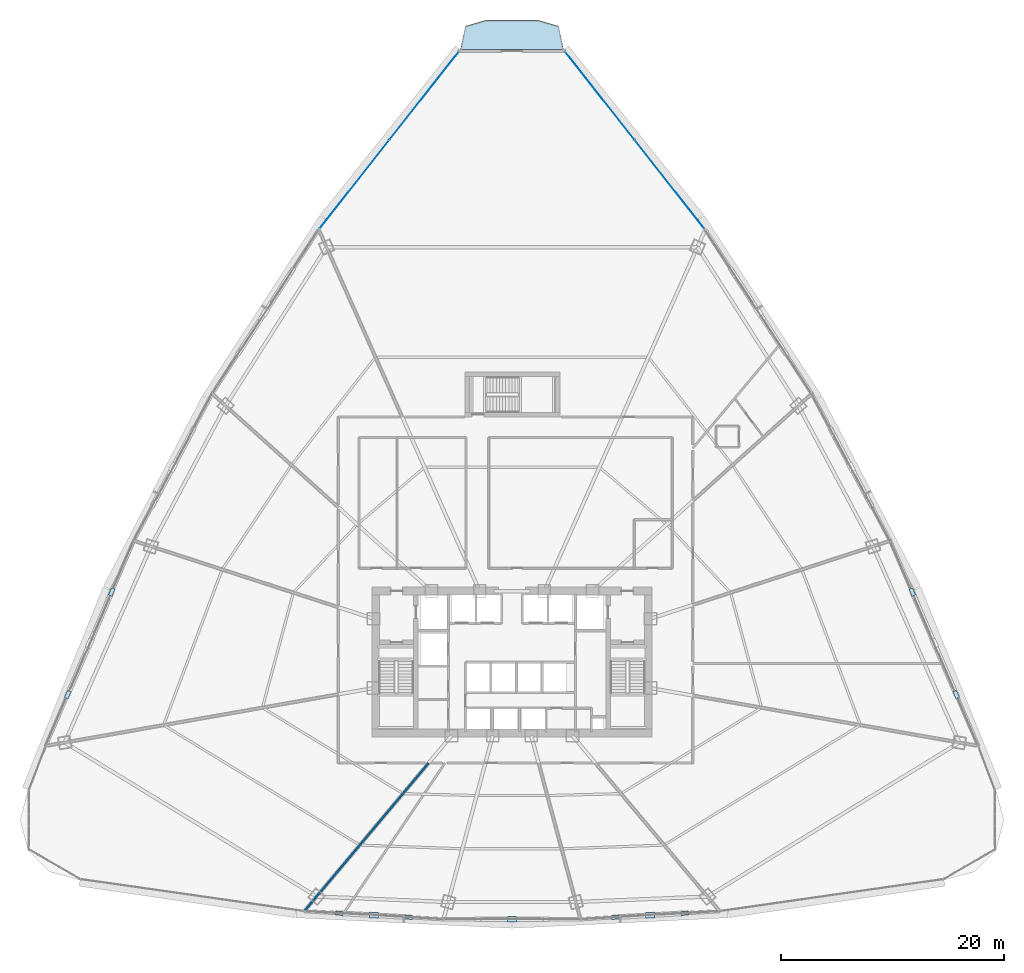
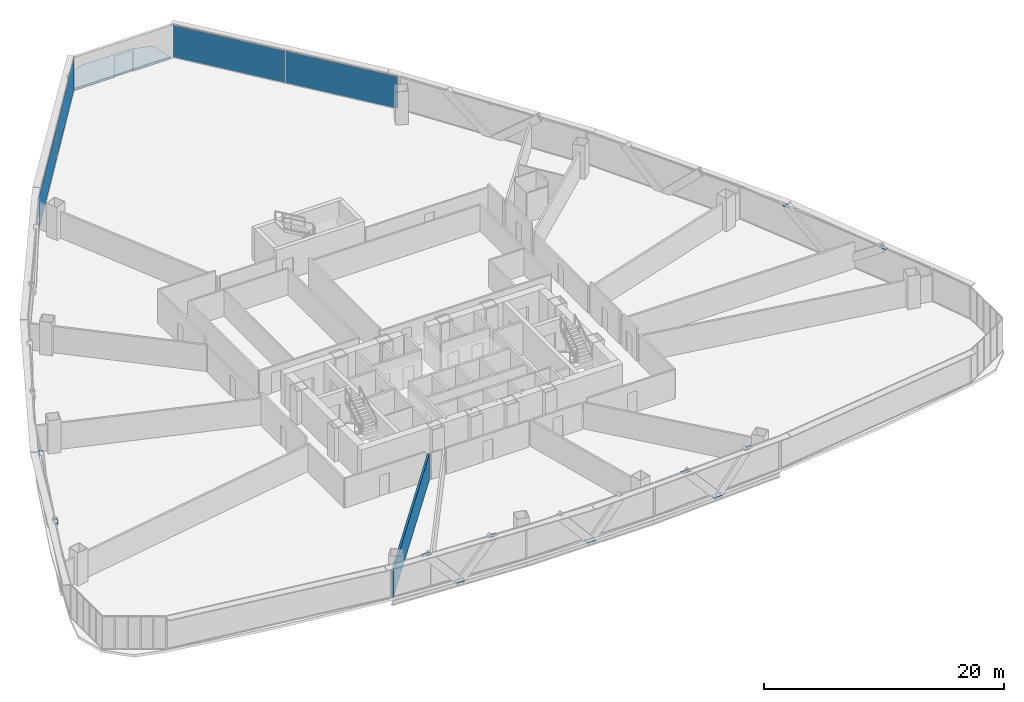
# One storey, part 34 of 42: 15 plates, 1 slab, 1 wall, 2 elements without a shape of their own.
"""IFC4 building model written with IfcOpenShell, lengths in metres."""

from ifc_helpers import new_model, si_unit, direction, frame, frame_2d, origin, origin_2d, place, context, subcontext, project, spatial, polyline, rectangle, outline, extrude, source, transform, mapped, material, layer, layer_set, type_object, element, aggregate, save


model = new_model("IFC4")

# Units and contexts
model_context = context("Model", 3, precision=1e-05, world=origin(), true_north=direction((0.0, 1.0)))
body_context = subcontext(model_context, "Body", "Model", "MODEL_VIEW")
ifc_project = project(units=[si_unit("LENGTHUNIT", "METRE"), si_unit("AREAUNIT", "SQUARE_METRE"), si_unit("VOLUMEUNIT", "CUBIC_METRE"), si_unit("PLANEANGLEUNIT", "RADIAN"), si_unit("MASSUNIT", "GRAM", prefix="KILO"), si_unit("THERMODYNAMICTEMPERATUREUNIT", "KELVIN"), si_unit("POWERUNIT", "WATT")], contexts=[model_context])

# Site, building, storey
site_placement = place(None, origin())
site = spatial("IfcSite", under=ifc_project, at=site_placement, CompositionType="ELEMENT")
building_placement = place(site_placement, origin())
building = spatial("IfcBuilding", under=site, at=building_placement, Name="Yunzhuo Pagoda Commons", CompositionType="ELEMENT")
storey_placement = place(building_placement, frame((0.0, 0.0, 41.2900390625)))
storey = spatial("IfcBuildingStorey", under=building, at=storey_placement, Name="L10", CompositionType="ELEMENT", Elevation=41.2900390625)

# Slab
ifc_material_1 = material(Name="Concrete C40", Category="concrete")
ifc_layer_1 = layer(ifc_material_1, 0.199951171875)
ifc_layer_set_1 = layer_set([ifc_layer_1], Name="Concrete C40")
slab_type = type_object("IfcSlabType", Name="SL-BAL Vertex Balcony Deck Slab 200", PredefinedType="FLOOR", material=ifc_layer_set_1)
slab_placement = place(storey_placement, frame((0.0, 0.0, -0.199951171875)))
element("IfcSlab", 1, at=slab_placement, inside=storey, type_object=slab_type, Name="L10 corner balcony V3", PredefinedType="FLOOR", context=body_context, shape_type="SweptSolid", body=[
    extrude(outline(polyline([(52.623291015625, 88.70068359375), (43.376708984375, 88.70068359375), (43.82666015625, 90.795654296875), (45.688232421875, 91.345703125), (50.311767578125, 91.345703125), (52.17333984375, 90.795654296875), (52.623291015625, 88.70068359375)])), origin(), (0.0, 0.0, 1.0), 0.199951171875),
])

# Plates
ifc_material_2 = material(Name="Structural steel Q355B", Category="steel")
ifc_layer_2 = layer(ifc_material_2, 0.028076171875)
ifc_layer_set_2 = layer_set([ifc_layer_2], Name="Structural steel Q355B")
plate_type_1 = type_object("IfcPlateType", Name="SP-ND1 Lattice Node Cap Plate 800x500x28", PredefinedType="USERDEFINED", material=ifc_layer_set_2)
shared_shape_1 = source(origin(), body_context, "Body", "SweptSolid", [
    extrude(rectangle(XDim=0.800048828125, YDim=0.5, at=origin_2d()), origin(), (0.0, 0.0, 1.0), 0.028076171875),
])
for number, where, z_axis, x_axis, name in (
    (2, (35.63330078125, 11.172119140625, -0.27392578125), (0.0, 0.0, 1.0), (0.998328730053, -0.057790542049, 0.0), "L10 diamond node plate F1.1A"),
    (3, (48.0, 10.811279296875, -0.27392578125), (0.0, 0.0, 1.0), (1.0, 0.0, 0.0), "L10 diamond node plate F1.2A"),
    (4, (60.36669921875, 11.172119140625, -0.27392578125), (0.0, 0.0, 1.0), (0.998328730053, 0.057790542049, 0.0), "L10 diamond node plate F1.3A"),
):
    element("IfcPlate", number, at=place(storey_placement, frame(where, z_axis=z_axis, x_axis=x_axis)), inside=storey, type_object=plate_type_1, Name=name, ObjectType="STIFFENER_PLATE", PredefinedType="USERDEFINED", context=body_context, shape_type="MappedRepresentation", body=[
        mapped(shared_shape_1, transform((0.0, 0.0, 0.0), scale=1.0)),
    ])
shared_shape_2 = source(origin(), body_context, "Body", "SweptSolid", [
    extrude(rectangle(XDim=0.699951171875, YDim=0.35009765625, at=origin_2d()), origin(), (0.0, 0.0, 1.0), 0.035888671875),
])
for number, where, z_axis, x_axis, name in (
    (5, (32.5166015625, 11.3525390625, 3.33203125), (0.0, 0.0, 1.0), (0.998328730053, -0.057790542049, 0.0), "L10 setback lattice tie plate F1.1L"),
    (6, (38.750244140625, 10.99169921875, 3.33203125), (0.0, 0.0, 1.0), (0.998328730053, -0.057790542049, 0.0), "L10 setback lattice tie plate F1.1R"),
    (7, (57.249755859375, 10.99169921875, 3.33203125), (0.0, 0.0, 1.0), (0.998328730053, 0.057790542049, 0.0), "L10 setback lattice tie plate F1.3L"),
    (8, (63.4833984375, 11.3525390625, 3.33203125), (0.0, 0.0, 1.0), (0.998328730053, 0.057790542049, 0.0), "L10 setback lattice tie plate F1.3R"),
    (9, (87.78759765625, 30.928955078125, 3.33203125), (0.0, 0.0, 1.0), (-0.394567453861, 0.918866978596, 0.0), "L10 setback lattice tie plate F2.1L"),
    (10, (83.843505859375, 40.11328125, 3.33203125), (0.0, 0.0, 1.0), (-0.394567453861, 0.918866978596, 0.0), "L10 setback lattice tie plate F2.1R"),
    (11, (12.15625, 40.11328125, 3.33203125), (0.0, 0.0, 1.0), (-0.394567453861, -0.918866978596, 0.0), "L10 setback lattice tie plate F3.3L"),
    (12, (8.21240234375, 30.928955078125, 3.33203125), (0.0, 0.0, 1.0), (-0.394567453861, -0.918866978596, 0.0), "L10 setback lattice tie plate F3.3R"),
):
    element("IfcPlate", number, at=place(storey_placement, frame(where, z_axis=z_axis, x_axis=x_axis)), inside=storey, type_object=plate_type_1, Name=name, ObjectType="STIFFENER_PLATE", PredefinedType="USERDEFINED", context=body_context, shape_type="MappedRepresentation", body=[
        mapped(shared_shape_2, transform((0.0, 0.0, 0.0), scale=1.0)),
    ])

# Curtain wall, plates
ifc_material_3 = material(Name="Anodized aluminium 6063-T6", Category="aluminium")
ifc_layer_3 = layer(ifc_material_3, 0.1650390625)
ifc_layer_set_3 = layer_set([ifc_layer_3], Name="Anodized aluminium 6063-T6")
curtain_wall_type = type_object("IfcCurtainWallType", Name="CW-LOW Low-Zone Ribbon Curtain Wall", PredefinedType="NOTDEFINED", material=ifc_layer_set_3)
curtain_wall_1_placement = place(storey_placement, origin())
curtain_wall_1 = element("IfcCurtainWall", 13, at=curtain_wall_1_placement, inside=storey, type_object=curtain_wall_type, Name="L10 curtain wall CW-L10-F2B5", PredefinedType="NOTDEFINED")
ifc_material_4 = material(Name="Tempered low-e double glazing", Category="glass")
ifc_layer_4 = layer(ifc_material_4, 0.028076171875)
ifc_layer_set_4 = layer_set([ifc_layer_4], Name="Tempered low-e double glazing")
plate_type_2 = type_object("IfcPlateType", Name="CW-LOW-P Low-E Double Glazing 28", PredefinedType="CURTAIN_PANEL", material=ifc_layer_set_4)
shared_shape_3 = source(origin(), body_context, "Body", "SweptSolid", [
    extrude(rectangle(XDim=10.042724609375, YDim=0.028076171875, at=origin_2d()), origin(), (0.0, 0.0, 1.0), 3.25),
])
plate_1_placement = place(storey_placement, frame((62.11376953125, 76.625, 0.06005859375), z_axis=(0.0, 0.0, 1.0), x_axis=(-0.61837518468, 0.785883026265, 0.0)))
plate_1 = element("IfcPlate", 14, at=plate_1_placement, type_object=plate_type_2, Name="CW panel 1.1", PredefinedType="CURTAIN_PANEL", context=body_context, shape_type="MappedRepresentation", body=[
    mapped(shared_shape_3, transform((0.0, 0.0, 0.0), scale=1.0)),
])
plate_2_placement = place(storey_placement, frame((55.863525390625, 84.568359375, 0.06005859375), z_axis=(0.0, 0.0, 1.0), x_axis=(-0.61837518468, 0.785883026265, 0.0)))
plate_2 = element("IfcPlate", 15, at=plate_2_placement, type_object=plate_type_2, Name="CW panel 2.1", PredefinedType="CURTAIN_PANEL", context=body_context, shape_type="MappedRepresentation", body=[
    mapped(shared_shape_3, transform((0.0, 0.0, 0.0), scale=1.0)),
])
aggregate(curtain_wall_1, [plate_1, plate_2])

curtain_wall_2_placement = place(storey_placement, origin())
curtain_wall_2 = element("IfcCurtainWall", 16, at=curtain_wall_2_placement, inside=storey, type_object=curtain_wall_type, Name="L10 curtain wall CW-L10-F3B1", PredefinedType="NOTDEFINED")
plate_3_placement = place(storey_placement, frame((40.136474609375, 84.568359375, 0.06005859375), z_axis=(0.0, 0.0, 1.0), x_axis=(-0.61837518468, -0.785883026265, 0.0)))
plate_3 = element("IfcPlate", 17, at=plate_3_placement, type_object=plate_type_2, Name="CW panel 1.1", PredefinedType="CURTAIN_PANEL", context=body_context, shape_type="MappedRepresentation", body=[
    mapped(shared_shape_3, transform((0.0, 0.0, 0.0), scale=1.0)),
])
plate_4_placement = place(storey_placement, frame((33.88623046875, 76.625, 0.06005859375), z_axis=(0.0, 0.0, 1.0), x_axis=(-0.61837518468, -0.785883026265, 0.0)))
plate_4 = element("IfcPlate", 18, at=plate_4_placement, type_object=plate_type_2, Name="CW panel 2.1", PredefinedType="CURTAIN_PANEL", context=body_context, shape_type="MappedRepresentation", body=[
    mapped(shared_shape_3, transform((0.0, 0.0, 0.0), scale=1.0)),
])
aggregate(curtain_wall_2, [plate_3, plate_4])

# Wall
ifc_material_5 = material(Name="Gypsum plasterboard on acoustic stud")
ifc_layer_5 = layer(ifc_material_5, 0.179931640625)
ifc_layer_set_5 = layer_set([ifc_layer_5], Name="Gypsum plasterboard on acoustic stud")
wall_type = type_object("IfcWallType", Name="W-PRT2 Acoustic Unit Demising Wall 180", PredefinedType="PARTITIONING", material=ifc_layer_set_5)
wall_placement = place(storey_placement, frame((40.531982421875, 24.800048828125, 0.0), z_axis=(0.0, 0.0, 1.0), x_axis=(-0.642784696521, -0.766046887546, 0.0)))
element("IfcWall", 19, at=wall_placement, inside=storey, type_object=wall_type, Name="L10 interior wall IW-L10-RAD09", PredefinedType="PARTITIONING", context=body_context, shape_type="SweptSolid", body=[
    extrude(rectangle(XDim=17.31884765625, YDim=0.179931640625, at=frame_2d((8.659423828125, 0.0))), origin(), (0.0, 0.0, 1.0), 2.669921875),
])

save(model, "model.ifc")
